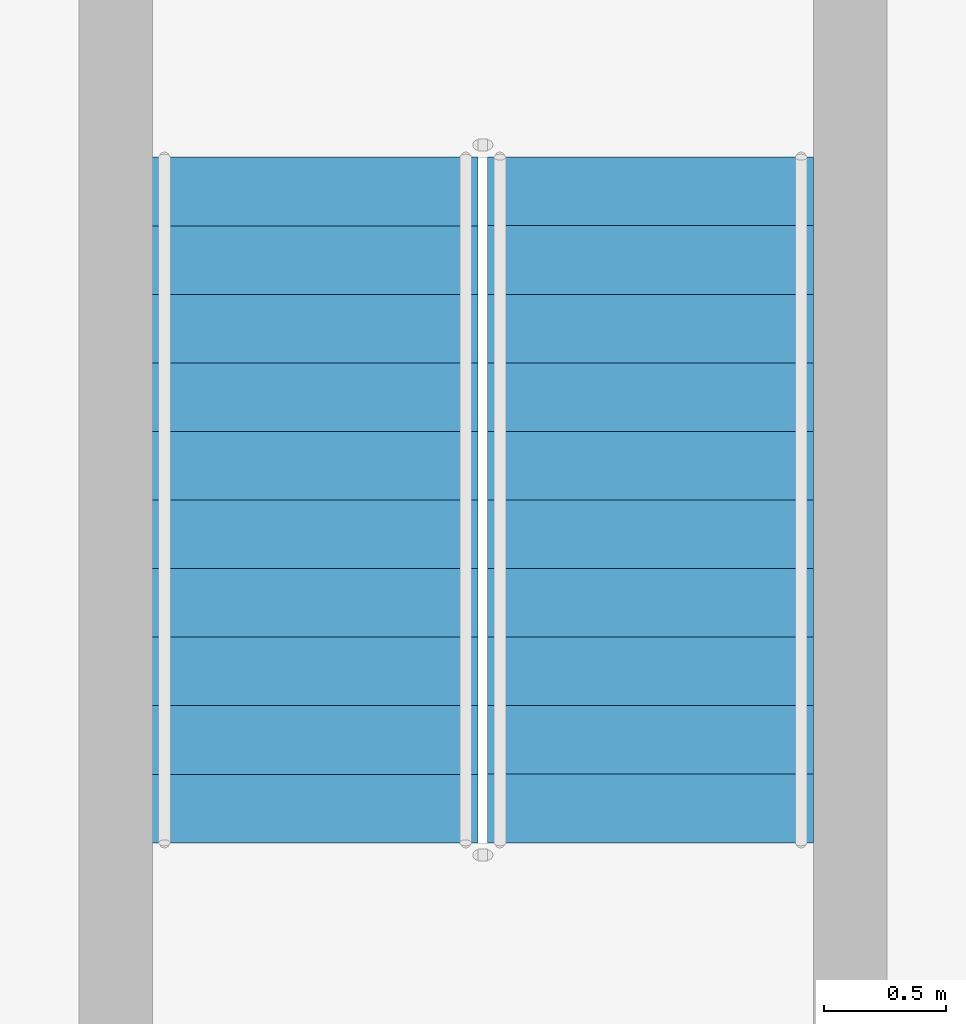
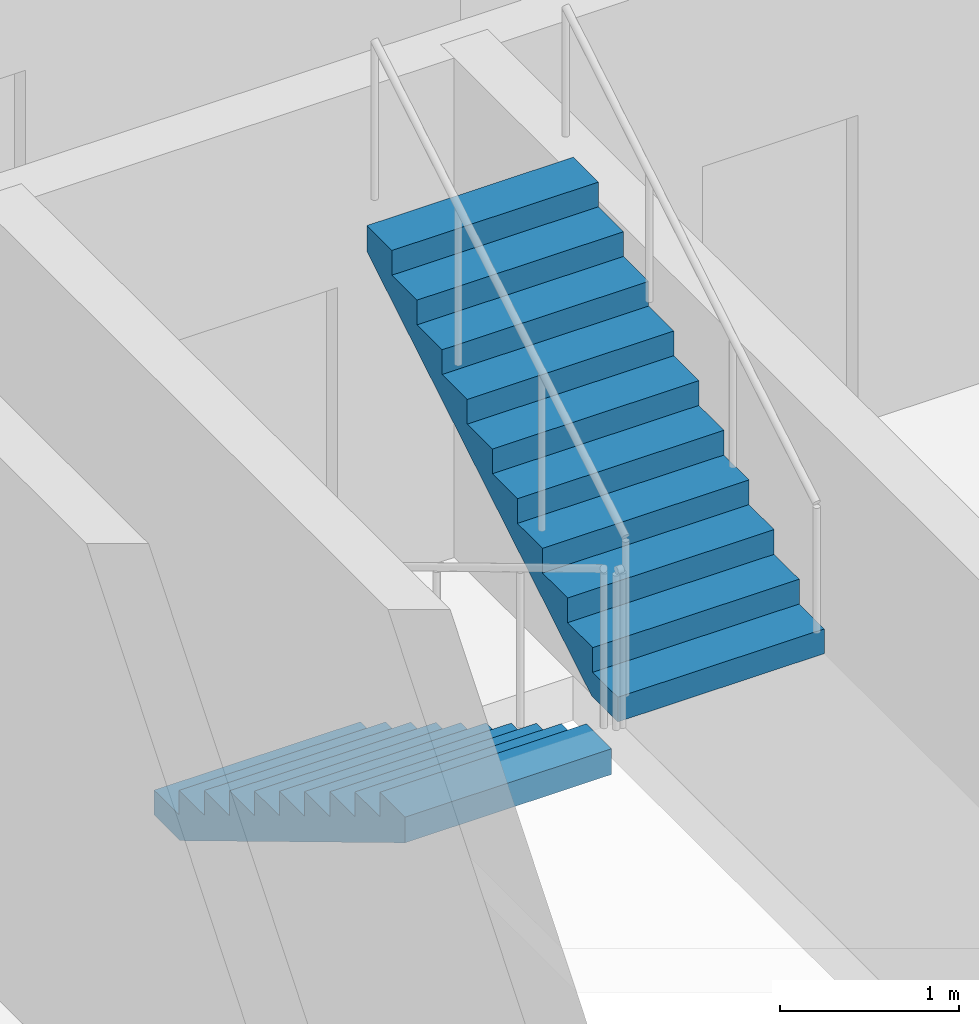
# One storey, part 28 of 35: 2 stair flights, 1 element without a shape of its own.
"""IFC4 building model written with IfcOpenShell, lengths in metres."""

from ifc_helpers import new_model, si_unit, direction, frame, origin, place, context, subcontext, project, spatial, triangles, source, transform, mapped, material, type_object, element, aggregate, save


model = new_model("IFC4")

# Units and contexts
model_context = context("Model", 3, precision=1e-05, world=origin(), true_north=direction((0.0, 1.0)))
body_context = subcontext(model_context, "Body", "Model", "MODEL_VIEW")
ifc_project = project(units=[si_unit("LENGTHUNIT", "METRE"), si_unit("AREAUNIT", "SQUARE_METRE"), si_unit("VOLUMEUNIT", "CUBIC_METRE"), si_unit("PLANEANGLEUNIT", "RADIAN"), si_unit("MASSUNIT", "GRAM", prefix="KILO")], contexts=[model_context])

# Site, building, storey
site_placement = place(None, origin())
site = spatial("IfcSite", under=ifc_project, at=site_placement, CompositionType="ELEMENT")
building_placement = place(site_placement, origin())
building = spatial("IfcBuilding", under=site, at=building_placement, Name="Ogive Portal Towers", CompositionType="ELEMENT")
storey_placement = place(building_placement, frame((0.0, 0.0, 90.800048828125)))
storey = spatial("IfcBuildingStorey", under=building, at=storey_placement, Name="L21", CompositionType="ELEMENT", Elevation=90.800048828125)

# Stair, stair flights
ifc_material = material(Name="Concrete C40/50", Category="concrete")
stair_type = type_object("IfcStairType", Name="INT-STAIR", PredefinedType="HALF_TURN_STAIR", material=ifc_material)
stair_placement = place(storey_placement, origin())
stair = element("IfcStair", 1, at=stair_placement, inside=storey, type_object=stair_type, Name="L21 Exit Stair ST-A4", PredefinedType="HALF_TURN_STAIR")
stair_flight_type = type_object("IfcStairFlightType", Name="INT-FLIGHT", PredefinedType="STRAIGHT", material=ifc_material)
shared_shape = source(origin(), body_context, "Body", "Tessellation", [
    triangles([(0.0, -0.6650390625, 0.0), (0.0, -0.384765625, 0.0), (0.0, -0.197021484375, 0.0), (0.0, -0.0830078125, 0.0), (0.0, -0.024658203125, 0.0), (0.0, -0.003173828125, 0.0), (0.0, 0.0, 0.0), (0.0, 0.003173828125, 0.0), (0.0, 0.024658203125, 0.0), (0.0, 0.0830078125, 0.0), (0.0, 0.197021484375, 0.0), (0.0, 0.384765625, 0.0), (0.0, 0.6650390625, 0.0), (0.0, -0.6650390625, 0.168212890625), (0.0, -0.384765625, 0.168212890625), (0.0, -0.197021484375, 0.168212890625), (0.0, -0.0830078125, 0.168212890625), (0.0, -0.024658203125, 0.168212890625), (0.0, -0.003173828125, 0.168212890625), (0.0, 0.0, 0.168212890625), (0.0, 0.003173828125, 0.168212890625), (0.0, 0.024658203125, 0.168212890625), (0.0, 0.0830078125, 0.168212890625), (0.0, 0.197021484375, 0.168212890625), (0.0, 0.384765625, 0.168212890625), (0.0, 0.6650390625, 0.168212890625), (0.280029296875, -0.6650390625, 0.168212890625), (0.280029296875, -0.384765625, 0.168212890625), (0.280029296875, -0.197021484375, 0.168212890625), (0.280029296875, -0.0830078125, 0.168212890625), (0.280029296875, -0.024658203125, 0.168212890625), (0.280029296875, -0.003173828125, 0.168212890625), (0.280029296875, 0.0, 0.168212890625), (0.280029296875, 0.003173828125, 0.168212890625), (0.280029296875, 0.024658203125, 0.168212890625), (0.280029296875, 0.0830078125, 0.168212890625), (0.280029296875, 0.197021484375, 0.168212890625), (0.280029296875, 0.384765625, 0.168212890625), (0.280029296875, 0.6650390625, 0.168212890625), (0.280029296875, -0.6650390625, 0.33642578125), (0.280029296875, -0.384765625, 0.33642578125), (0.280029296875, -0.197021484375, 0.33642578125), (0.280029296875, -0.0830078125, 0.33642578125), (0.280029296875, -0.024658203125, 0.33642578125), (0.280029296875, -0.003173828125, 0.33642578125), (0.280029296875, 0.0, 0.33642578125), (0.280029296875, 0.003173828125, 0.33642578125), (0.280029296875, 0.024658203125, 0.33642578125), (0.280029296875, 0.0830078125, 0.33642578125), (0.280029296875, 0.197021484375, 0.33642578125), (0.280029296875, 0.384765625, 0.33642578125), (0.280029296875, 0.6650390625, 0.33642578125), (0.56005859375, -0.6650390625, 0.33642578125), (0.56005859375, -0.384765625, 0.33642578125), (0.56005859375, -0.197021484375, 0.33642578125), (0.56005859375, -0.0830078125, 0.33642578125), (0.56005859375, -0.024658203125, 0.33642578125), (0.56005859375, -0.003173828125, 0.33642578125), (0.56005859375, 0.0, 0.33642578125), (0.56005859375, 0.003173828125, 0.33642578125), (0.56005859375, 0.024658203125, 0.33642578125), (0.56005859375, 0.0830078125, 0.33642578125), (0.56005859375, 0.197021484375, 0.33642578125), (0.56005859375, 0.384765625, 0.33642578125), (0.56005859375, 0.6650390625, 0.33642578125), (0.56005859375, -0.6650390625, 0.504638671875), (0.56005859375, -0.384765625, 0.504638671875), (0.56005859375, -0.197021484375, 0.504638671875), (0.56005859375, -0.0830078125, 0.504638671875), (0.56005859375, -0.024658203125, 0.504638671875), (0.56005859375, -0.003173828125, 0.504638671875), (0.56005859375, 0.0, 0.504638671875), (0.56005859375, 0.003173828125, 0.504638671875), (0.56005859375, 0.024658203125, 0.504638671875), (0.56005859375, 0.0830078125, 0.504638671875), (0.56005859375, 0.197021484375, 0.504638671875), (0.56005859375, 0.384765625, 0.504638671875), (0.56005859375, 0.6650390625, 0.504638671875), (0.840087890625, -0.6650390625, 0.504638671875), (0.840087890625, -0.384765625, 0.504638671875), (0.840087890625, -0.197021484375, 0.504638671875), (0.840087890625, -0.0830078125, 0.504638671875), (0.840087890625, -0.024658203125, 0.504638671875), (0.840087890625, -0.003173828125, 0.504638671875), (0.840087890625, 0.0, 0.504638671875), (0.840087890625, 0.003173828125, 0.504638671875), (0.840087890625, 0.024658203125, 0.504638671875), (0.840087890625, 0.0830078125, 0.504638671875), (0.840087890625, 0.197021484375, 0.504638671875), (0.840087890625, 0.384765625, 0.504638671875), (0.840087890625, 0.6650390625, 0.504638671875), (0.840087890625, -0.6650390625, 0.672607421875), (0.840087890625, -0.384765625, 0.672607421875), (0.840087890625, -0.197021484375, 0.672607421875), (0.840087890625, -0.0830078125, 0.672607421875), (0.840087890625, -0.024658203125, 0.672607421875), (0.840087890625, -0.003173828125, 0.672607421875), (0.840087890625, 0.0, 0.672607421875), (0.840087890625, 0.003173828125, 0.672607421875), (0.840087890625, 0.024658203125, 0.672607421875), (0.840087890625, 0.0830078125, 0.672607421875), (0.840087890625, 0.197021484375, 0.672607421875), (0.840087890625, 0.384765625, 0.672607421875), (0.840087890625, 0.6650390625, 0.672607421875), (1.1201171875, -0.6650390625, 0.672607421875), (1.1201171875, -0.384765625, 0.672607421875), (1.1201171875, -0.197021484375, 0.672607421875), (1.1201171875, -0.0830078125, 0.672607421875), (1.1201171875, -0.024658203125, 0.672607421875), (1.1201171875, -0.003173828125, 0.672607421875), (1.1201171875, 0.0, 0.672607421875), (1.1201171875, 0.003173828125, 0.672607421875), (1.1201171875, 0.024658203125, 0.672607421875), (1.1201171875, 0.0830078125, 0.672607421875), (1.1201171875, 0.197021484375, 0.672607421875), (1.1201171875, 0.384765625, 0.672607421875), (1.1201171875, 0.6650390625, 0.672607421875), (1.1201171875, -0.6650390625, 0.8408203125), (1.1201171875, -0.384765625, 0.8408203125), (1.1201171875, -0.197021484375, 0.8408203125), (1.1201171875, -0.0830078125, 0.8408203125), (1.1201171875, -0.024658203125, 0.8408203125), (1.1201171875, -0.003173828125, 0.8408203125), (1.1201171875, 0.0, 0.8408203125), (1.1201171875, 0.003173828125, 0.8408203125), (1.1201171875, 0.024658203125, 0.8408203125), (1.1201171875, 0.0830078125, 0.8408203125), (1.1201171875, 0.197021484375, 0.8408203125), (1.1201171875, 0.384765625, 0.8408203125), (1.1201171875, 0.6650390625, 0.8408203125), (1.39990234375, -0.6650390625, 0.8408203125), (1.39990234375, -0.384765625, 0.8408203125), (1.39990234375, -0.197021484375, 0.8408203125), (1.39990234375, -0.0830078125, 0.8408203125), (1.39990234375, -0.024658203125, 0.8408203125), (1.39990234375, -0.003173828125, 0.8408203125), (1.39990234375, 0.0, 0.8408203125), (1.39990234375, 0.003173828125, 0.8408203125), (1.39990234375, 0.024658203125, 0.8408203125), (1.39990234375, 0.0830078125, 0.8408203125), (1.39990234375, 0.197021484375, 0.8408203125), (1.39990234375, 0.384765625, 0.8408203125), (1.39990234375, 0.6650390625, 0.8408203125), (1.39990234375, -0.6650390625, 1.009033203125), (1.39990234375, -0.384765625, 1.009033203125), (1.39990234375, -0.197021484375, 1.009033203125), (1.39990234375, -0.0830078125, 1.009033203125), (1.39990234375, -0.024658203125, 1.009033203125), (1.39990234375, -0.003173828125, 1.009033203125), (1.39990234375, 0.0, 1.009033203125), (1.39990234375, 0.003173828125, 1.009033203125), (1.39990234375, 0.024658203125, 1.009033203125), (1.39990234375, 0.0830078125, 1.009033203125), (1.39990234375, 0.197021484375, 1.009033203125), (1.39990234375, 0.384765625, 1.009033203125), (1.39990234375, 0.6650390625, 1.009033203125), (1.679931640625, -0.6650390625, 1.009033203125), (1.679931640625, -0.384765625, 1.009033203125), (1.679931640625, -0.197021484375, 1.009033203125), (1.679931640625, -0.0830078125, 1.009033203125), (1.679931640625, -0.024658203125, 1.009033203125), (1.679931640625, -0.003173828125, 1.009033203125), (1.679931640625, 0.0, 1.009033203125), (1.679931640625, 0.003173828125, 1.009033203125), (1.679931640625, 0.024658203125, 1.009033203125), (1.679931640625, 0.0830078125, 1.009033203125), (1.679931640625, 0.197021484375, 1.009033203125), (1.679931640625, 0.384765625, 1.009033203125), (1.679931640625, 0.6650390625, 1.009033203125), (1.679931640625, -0.6650390625, 1.17724609375), (1.679931640625, -0.384765625, 1.17724609375), (1.679931640625, -0.197021484375, 1.17724609375), (1.679931640625, -0.0830078125, 1.17724609375), (1.679931640625, -0.024658203125, 1.17724609375), (1.679931640625, -0.003173828125, 1.17724609375), (1.679931640625, 0.0, 1.17724609375), (1.679931640625, 0.003173828125, 1.17724609375), (1.679931640625, 0.024658203125, 1.17724609375), (1.679931640625, 0.0830078125, 1.17724609375), (1.679931640625, 0.197021484375, 1.17724609375), (1.679931640625, 0.384765625, 1.17724609375), (1.679931640625, 0.6650390625, 1.17724609375), (1.9599609375, -0.6650390625, 1.17724609375), (1.9599609375, -0.384765625, 1.17724609375), (1.9599609375, -0.197021484375, 1.17724609375), (1.9599609375, -0.0830078125, 1.17724609375), (1.9599609375, -0.024658203125, 1.17724609375), (1.9599609375, -0.003173828125, 1.17724609375), (1.9599609375, 0.0, 1.17724609375), (1.9599609375, 0.003173828125, 1.17724609375), (1.9599609375, 0.024658203125, 1.17724609375), (1.9599609375, 0.0830078125, 1.17724609375), (1.9599609375, 0.197021484375, 1.17724609375), (1.9599609375, 0.384765625, 1.17724609375), (1.9599609375, 0.6650390625, 1.17724609375), (1.9599609375, -0.6650390625, 1.345458984375), (1.9599609375, -0.384765625, 1.345458984375), (1.9599609375, -0.197021484375, 1.345458984375), (1.9599609375, -0.0830078125, 1.345458984375), (1.9599609375, -0.024658203125, 1.345458984375), (1.9599609375, -0.003173828125, 1.345458984375), (1.9599609375, 0.0, 1.345458984375), (1.9599609375, 0.003173828125, 1.345458984375), (1.9599609375, 0.024658203125, 1.345458984375), (1.9599609375, 0.0830078125, 1.345458984375), (1.9599609375, 0.197021484375, 1.345458984375), (1.9599609375, 0.384765625, 1.345458984375), (1.9599609375, 0.6650390625, 1.345458984375), (2.239990234375, -0.6650390625, 1.345458984375), (2.239990234375, -0.384765625, 1.345458984375), (2.239990234375, -0.197021484375, 1.345458984375), (2.239990234375, -0.0830078125, 1.345458984375), (2.239990234375, -0.024658203125, 1.345458984375), (2.239990234375, -0.003173828125, 1.345458984375), (2.239990234375, 0.0, 1.345458984375), (2.239990234375, 0.003173828125, 1.345458984375), (2.239990234375, 0.024658203125, 1.345458984375), (2.239990234375, 0.0830078125, 1.345458984375), (2.239990234375, 0.197021484375, 1.345458984375), (2.239990234375, 0.384765625, 1.345458984375), (2.239990234375, 0.6650390625, 1.345458984375), (2.239990234375, -0.6650390625, 1.513671875), (2.239990234375, -0.384765625, 1.513671875), (2.239990234375, -0.197021484375, 1.513671875), (2.239990234375, -0.0830078125, 1.513671875), (2.239990234375, -0.024658203125, 1.513671875), (2.239990234375, -0.003173828125, 1.513671875), (2.239990234375, 0.0, 1.513671875), (2.239990234375, 0.003173828125, 1.513671875), (2.239990234375, 0.024658203125, 1.513671875), (2.239990234375, 0.0830078125, 1.513671875), (2.239990234375, 0.197021484375, 1.513671875), (2.239990234375, 0.384765625, 1.513671875), (2.239990234375, 0.6650390625, 1.513671875), (2.52001953125, -0.6650390625, 1.513671875), (2.52001953125, -0.384765625, 1.513671875), (2.52001953125, -0.197021484375, 1.513671875), (2.52001953125, -0.0830078125, 1.513671875), (2.52001953125, -0.024658203125, 1.513671875), (2.52001953125, -0.003173828125, 1.513671875), (2.52001953125, 0.0, 1.513671875), (2.52001953125, 0.003173828125, 1.513671875), (2.52001953125, 0.024658203125, 1.513671875), (2.52001953125, 0.0830078125, 1.513671875), (2.52001953125, 0.197021484375, 1.513671875), (2.52001953125, 0.384765625, 1.513671875), (2.52001953125, 0.6650390625, 1.513671875), (2.52001953125, -0.6650390625, 1.681884765625), (2.52001953125, -0.384765625, 1.681884765625), (2.52001953125, -0.197021484375, 1.681884765625), (2.52001953125, -0.0830078125, 1.681884765625), (2.52001953125, -0.024658203125, 1.681884765625), (2.52001953125, -0.003173828125, 1.681884765625), (2.52001953125, 0.0, 1.681884765625), (2.52001953125, 0.003173828125, 1.681884765625), (2.52001953125, 0.024658203125, 1.681884765625), (2.52001953125, 0.0830078125, 1.681884765625), (2.52001953125, 0.197021484375, 1.681884765625), (2.52001953125, 0.384765625, 1.681884765625), (2.52001953125, 0.6650390625, 1.681884765625), (2.800048828125, -0.6650390625, 1.681884765625), (2.800048828125, -0.384765625, 1.681884765625), (2.800048828125, -0.197021484375, 1.681884765625), (2.800048828125, -0.0830078125, 1.681884765625), (2.800048828125, -0.024658203125, 1.681884765625), (2.800048828125, -0.003173828125, 1.681884765625), (2.800048828125, 0.0, 1.681884765625), (2.800048828125, 0.003173828125, 1.681884765625), (2.800048828125, 0.024658203125, 1.681884765625), (2.800048828125, 0.0830078125, 1.681884765625), (2.800048828125, 0.197021484375, 1.681884765625), (2.800048828125, 0.384765625, 1.681884765625), (2.800048828125, 0.6650390625, 1.681884765625), (2.800048828125, -0.6650390625, 1.5068359375), (2.800048828125, -0.384765625, 1.5068359375), (2.800048828125, -0.197021484375, 1.5068359375), (2.800048828125, -0.0830078125, 1.5068359375), (2.800048828125, -0.024658203125, 1.5068359375), (2.800048828125, -0.003173828125, 1.5068359375), (2.800048828125, 0.0, 1.5068359375), (2.800048828125, 0.003173828125, 1.5068359375), (2.800048828125, 0.024658203125, 1.5068359375), (2.800048828125, 0.0830078125, 1.5068359375), (2.800048828125, 0.197021484375, 1.5068359375), (2.800048828125, 0.384765625, 1.5068359375), (2.800048828125, 0.6650390625, 1.5068359375), (0.291015625, -0.6650390625, 0.0), (0.291015625, -0.384765625, 0.0), (0.291015625, -0.197021484375, 0.0), (0.291015625, -0.0830078125, 0.0), (0.291015625, -0.024658203125, 0.0), (0.291015625, -0.003173828125, 0.0), (0.291015625, 0.0, 0.0), (0.291015625, 0.003173828125, 0.0), (0.291015625, 0.024658203125, 0.0), (0.291015625, 0.0830078125, 0.0), (0.291015625, 0.197021484375, 0.0), (0.291015625, 0.384765625, 0.0), (0.291015625, 0.6650390625, 0.0)], [[1, 14, 15], [1, 15, 2], [2, 15, 16], [2, 16, 3], [3, 16, 17], [3, 17, 4], [4, 17, 18], [4, 18, 5], [5, 18, 19], [5, 19, 6], [6, 19, 20], [6, 20, 7], [7, 20, 21], [7, 21, 8], [8, 21, 22], [8, 22, 9], [9, 22, 23], [9, 23, 10], [10, 23, 24], [10, 24, 11], [11, 24, 25], [11, 25, 12], [12, 25, 26], [12, 26, 13], [14, 27, 28], [14, 28, 15], [15, 28, 29], [15, 29, 16], [16, 29, 30], [16, 30, 17], [17, 30, 31], [17, 31, 18], [18, 31, 32], [18, 32, 19], [19, 32, 33], [19, 33, 20], [20, 33, 34], [20, 34, 21], [21, 34, 35], [21, 35, 22], [22, 35, 36], [22, 36, 23], [23, 36, 37], [23, 37, 24], [24, 37, 38], [24, 38, 25], [25, 38, 39], [25, 39, 26], [27, 40, 41], [27, 41, 28], [28, 41, 42], [28, 42, 29], [29, 42, 43], [29, 43, 30], [30, 43, 44], [30, 44, 31], [31, 44, 45], [31, 45, 32], [32, 45, 46], [32, 46, 33], [33, 46, 47], [33, 47, 34], [34, 47, 48], [34, 48, 35], [35, 48, 49], [35, 49, 36], [36, 49, 50], [36, 50, 37], [37, 50, 51], [37, 51, 38], [38, 51, 52], [38, 52, 39], [40, 53, 54], [40, 54, 41], [41, 54, 55], [41, 55, 42], [42, 55, 56], [42, 56, 43], [43, 56, 57], [43, 57, 44], [44, 57, 58], [44, 58, 45], [45, 58, 59], [45, 59, 46], [46, 59, 60], [46, 60, 47], [47, 60, 61], [47, 61, 48], [48, 61, 62], [48, 62, 49], [49, 62, 63], [49, 63, 50], [50, 63, 64], [50, 64, 51], [51, 64, 65], [51, 65, 52], [53, 66, 67], [53, 67, 54], [54, 67, 68], [54, 68, 55], [55, 68, 69], [55, 69, 56], [56, 69, 70], [56, 70, 57], [57, 70, 71], [57, 71, 58], [58, 71, 72], [58, 72, 59], [59, 72, 73], [59, 73, 60], [60, 73, 74], [60, 74, 61], [61, 74, 75], [61, 75, 62], [62, 75, 76], [62, 76, 63], [63, 76, 77], [63, 77, 64], [64, 77, 78], [64, 78, 65], [66, 79, 80], [66, 80, 67], [67, 80, 81], [67, 81, 68], [68, 81, 82], [68, 82, 69], [69, 82, 83], [69, 83, 70], [70, 83, 84], [70, 84, 71], [71, 84, 85], [71, 85, 72], [72, 85, 86], [72, 86, 73], [73, 86, 87], [73, 87, 74], [74, 87, 88], [74, 88, 75], [75, 88, 89], [75, 89, 76], [76, 89, 90], [76, 90, 77], [77, 90, 91], [77, 91, 78], [79, 92, 93], [79, 93, 80], [80, 93, 94], [80, 94, 81], [81, 94, 95], [81, 95, 82], [82, 95, 96], [82, 96, 83], [83, 96, 97], [83, 97, 84], [84, 97, 98], [84, 98, 85], [85, 98, 99], [85, 99, 86], [86, 99, 100], [86, 100, 87], [87, 100, 101], [87, 101, 88], [88, 101, 102], [88, 102, 89], [89, 102, 103], [89, 103, 90], [90, 103, 104], [90, 104, 91], [92, 105, 106], [92, 106, 93], [93, 106, 107], [93, 107, 94], [94, 107, 108], [94, 108, 95], [95, 108, 109], [95, 109, 96], [96, 109, 110], [96, 110, 97], [97, 110, 111], [97, 111, 98], [98, 111, 112], [98, 112, 99], [99, 112, 113], [99, 113, 100], [100, 113, 114], [100, 114, 101], [101, 114, 115], [101, 115, 102], [102, 115, 116], [102, 116, 103], [103, 116, 117], [103, 117, 104], [105, 118, 119], [105, 119, 106], [106, 119, 120], [106, 120, 107], [107, 120, 121], [107, 121, 108], [108, 121, 122], [108, 122, 109], [109, 122, 123], [109, 123, 110], [110, 123, 124], [110, 124, 111], [111, 124, 125], [111, 125, 112], [112, 125, 126], [112, 126, 113], [113, 126, 127], [113, 127, 114], [114, 127, 128], [114, 128, 115], [115, 128, 129], [115, 129, 116], [116, 129, 130], [116, 130, 117], [118, 131, 132], [118, 132, 119], [119, 132, 133], [119, 133, 120], [120, 133, 134], [120, 134, 121], [121, 134, 135], [121, 135, 122], [122, 135, 136], [122, 136, 123], [123, 136, 137], [123, 137, 124], [124, 137, 138], [124, 138, 125], [125, 138, 139], [125, 139, 126], [126, 139, 140], [126, 140, 127], [127, 140, 141], [127, 141, 128], [128, 141, 142], [128, 142, 129], [129, 142, 143], [129, 143, 130], [131, 144, 145], [131, 145, 132], [132, 145, 146], [132, 146, 133], [133, 146, 147], [133, 147, 134], [134, 147, 148], [134, 148, 135], [135, 148, 149], [135, 149, 136], [136, 149, 150], [136, 150, 137], [137, 150, 151], [137, 151, 138], [138, 151, 152], [138, 152, 139], [139, 152, 153], [139, 153, 140], [140, 153, 154], [140, 154, 141], [141, 154, 155], [141, 155, 142], [142, 155, 156], [142, 156, 143], [144, 157, 158], [144, 158, 145], [145, 158, 159], [145, 159, 146], [146, 159, 160], [146, 160, 147], [147, 160, 161], [147, 161, 148], [148, 161, 162], [148, 162, 149], [149, 162, 163], [149, 163, 150], [150, 163, 164], [150, 164, 151], [151, 164, 165], [151, 165, 152], [152, 165, 166], [152, 166, 153], [153, 166, 167], [153, 167, 154], [154, 167, 168], [154, 168, 155], [155, 168, 169], [155, 169, 156], [157, 170, 171], [157, 171, 158], [158, 171, 172], [158, 172, 159], [159, 172, 173], [159, 173, 160], [160, 173, 174], [160, 174, 161], [161, 174, 175], [161, 175, 162], [162, 175, 176], [162, 176, 163], [163, 176, 177], [163, 177, 164], [164, 177, 178], [164, 178, 165], [165, 178, 179], [165, 179, 166], [166, 179, 180], [166, 180, 167], [167, 180, 181], [167, 181, 168], [168, 181, 182], [168, 182, 169], [170, 183, 184], [170, 184, 171], [171, 184, 185], [171, 185, 172], [172, 185, 186], [172, 186, 173], [173, 186, 187], [173, 187, 174], [174, 187, 188], [174, 188, 175], [175, 188, 189], [175, 189, 176], [176, 189, 190], [176, 190, 177], [177, 190, 191], [177, 191, 178], [178, 191, 192], [178, 192, 179], [179, 192, 193], [179, 193, 180], [180, 193, 194], [180, 194, 181], [181, 194, 195], [181, 195, 182], [183, 196, 197], [183, 197, 184], [184, 197, 198], [184, 198, 185], [185, 198, 199], [185, 199, 186], [186, 199, 200], [186, 200, 187], [187, 200, 201], [187, 201, 188], [188, 201, 202], [188, 202, 189], [189, 202, 203], [189, 203, 190], [190, 203, 204], [190, 204, 191], [191, 204, 205], [191, 205, 192], [192, 205, 206], [192, 206, 193], [193, 206, 207], [193, 207, 194], [194, 207, 208], [194, 208, 195], [196, 209, 210], [196, 210, 197], [197, 210, 211], [197, 211, 198], [198, 211, 212], [198, 212, 199], [199, 212, 213], [199, 213, 200], [200, 213, 214], [200, 214, 201], [201, 214, 215], [201, 215, 202], [202, 215, 216], [202, 216, 203], [203, 216, 217], [203, 217, 204], [204, 217, 218], [204, 218, 205], [205, 218, 219], [205, 219, 206], [206, 219, 220], [206, 220, 207], [207, 220, 221], [207, 221, 208], [209, 222, 223], [209, 223, 210], [210, 223, 224], [210, 224, 211], [211, 224, 225], [211, 225, 212], [212, 225, 226], [212, 226, 213], [213, 226, 227], [213, 227, 214], [214, 227, 228], [214, 228, 215], [215, 228, 229], [215, 229, 216], [216, 229, 230], [216, 230, 217], [217, 230, 231], [217, 231, 218], [218, 231, 232], [218, 232, 219], [219, 232, 233], [219, 233, 220], [220, 233, 234], [220, 234, 221], [222, 235, 236], [222, 236, 223], [223, 236, 237], [223, 237, 224], [224, 237, 238], [224, 238, 225], [225, 238, 239], [225, 239, 226], [226, 239, 240], [226, 240, 227], [227, 240, 241], [227, 241, 228], [228, 241, 242], [228, 242, 229], [229, 242, 243], [229, 243, 230], [230, 243, 244], [230, 244, 231], [231, 244, 245], [231, 245, 232], [232, 245, 246], [232, 246, 233], [233, 246, 247], [233, 247, 234], [235, 248, 249], [235, 249, 236], [236, 249, 250], [236, 250, 237], [237, 250, 251], [237, 251, 238], [238, 251, 252], [238, 252, 239], [239, 252, 253], [239, 253, 240], [240, 253, 254], [240, 254, 241], [241, 254, 255], [241, 255, 242], [242, 255, 256], [242, 256, 243], [243, 256, 257], [243, 257, 244], [244, 257, 258], [244, 258, 245], [245, 258, 259], [245, 259, 246], [246, 259, 260], [246, 260, 247], [248, 261, 262], [248, 262, 249], [249, 262, 263], [249, 263, 250], [250, 263, 264], [250, 264, 251], [251, 264, 265], [251, 265, 252], [252, 265, 266], [252, 266, 253], [253, 266, 267], [253, 267, 254], [254, 267, 268], [254, 268, 255], [255, 268, 269], [255, 269, 256], [256, 269, 270], [256, 270, 257], [257, 270, 271], [257, 271, 258], [258, 271, 272], [258, 272, 259], [259, 272, 273], [259, 273, 260], [261, 274, 275], [261, 275, 262], [262, 275, 276], [262, 276, 263], [263, 276, 277], [263, 277, 264], [264, 277, 278], [264, 278, 265], [265, 278, 279], [265, 279, 266], [266, 279, 280], [266, 280, 267], [267, 280, 281], [267, 281, 268], [268, 281, 282], [268, 282, 269], [269, 282, 283], [269, 283, 270], [270, 283, 284], [270, 284, 271], [271, 284, 285], [271, 285, 272], [272, 285, 286], [272, 286, 273], [274, 287, 288], [274, 288, 275], [275, 288, 289], [275, 289, 276], [276, 289, 290], [276, 290, 277], [277, 290, 291], [277, 291, 278], [278, 291, 292], [278, 292, 279], [279, 292, 293], [279, 293, 280], [280, 293, 294], [280, 294, 281], [281, 294, 295], [281, 295, 282], [282, 295, 296], [282, 296, 283], [283, 296, 297], [283, 297, 284], [284, 297, 298], [284, 298, 285], [285, 298, 299], [285, 299, 286], [287, 1, 2], [287, 2, 288], [288, 2, 3], [288, 3, 289], [289, 3, 4], [289, 4, 290], [290, 4, 5], [290, 5, 291], [291, 5, 6], [291, 6, 292], [292, 6, 7], [292, 7, 293], [293, 7, 8], [293, 8, 294], [294, 8, 9], [294, 9, 295], [295, 9, 10], [295, 10, 296], [296, 10, 11], [296, 11, 297], [297, 11, 12], [297, 12, 298], [298, 12, 13], [298, 13, 299], [1, 287, 274], [13, 286, 299], [274, 261, 248], [286, 260, 273], [274, 248, 235], [286, 247, 260], [274, 235, 222], [286, 234, 247], [274, 222, 209], [286, 221, 234], [209, 196, 183], [221, 195, 208], [274, 209, 183], [286, 195, 221], [183, 170, 157], [195, 169, 182], [274, 183, 157], [286, 169, 195], [157, 144, 131], [169, 143, 156], [274, 157, 131], [286, 143, 169], [131, 118, 105], [143, 117, 130], [274, 131, 105], [286, 117, 143], [1, 274, 105], [13, 117, 286], [105, 92, 79], [117, 91, 104], [79, 66, 53], [91, 65, 78], [105, 79, 53], [117, 65, 91], [53, 40, 27], [65, 39, 52], [105, 53, 27], [117, 39, 65], [1, 105, 27], [13, 39, 117], [27, 14, 1], [39, 13, 26]], closed=True),
])
stair_flight_1_placement = place(storey_placement, frame((87.6650390625, 29.169921875, 0.0), z_axis=(0.0, 0.0, 1.0), x_axis=(0.0, -1.0, 0.0)))
stair_flight_1 = element("IfcStairFlight", 2, at=stair_flight_1_placement, type_object=stair_flight_type, Name="ST-A4 flight 1", NumberOfRisers=11, NumberOfTreads=10, PredefinedType="STRAIGHT", RiserHeight=0.168181818, TreadLength=0.28, context=body_context, shape_type="MappedRepresentation", body=[
    mapped(shared_shape, transform((0.0, 0.0, 0.0), scale=1.0)),
])
stair_flight_2_placement = place(storey_placement, frame((89.034912109375, 26.3701171875, 1.849853515625), z_axis=(0.0, 0.0, 1.0), x_axis=(0.0, 1.0, 0.0)))
stair_flight_2 = element("IfcStairFlight", 3, at=stair_flight_2_placement, type_object=stair_flight_type, Name="ST-A4 flight 2", NumberOfRisers=11, NumberOfTreads=10, PredefinedType="STRAIGHT", RiserHeight=0.168181818, TreadLength=0.28, context=body_context, shape_type="MappedRepresentation", body=[
    mapped(shared_shape, transform((0.0, 0.0, 0.0), scale=1.0)),
])
aggregate(stair, [stair_flight_1, stair_flight_2])

save(model, "model.ifc")
